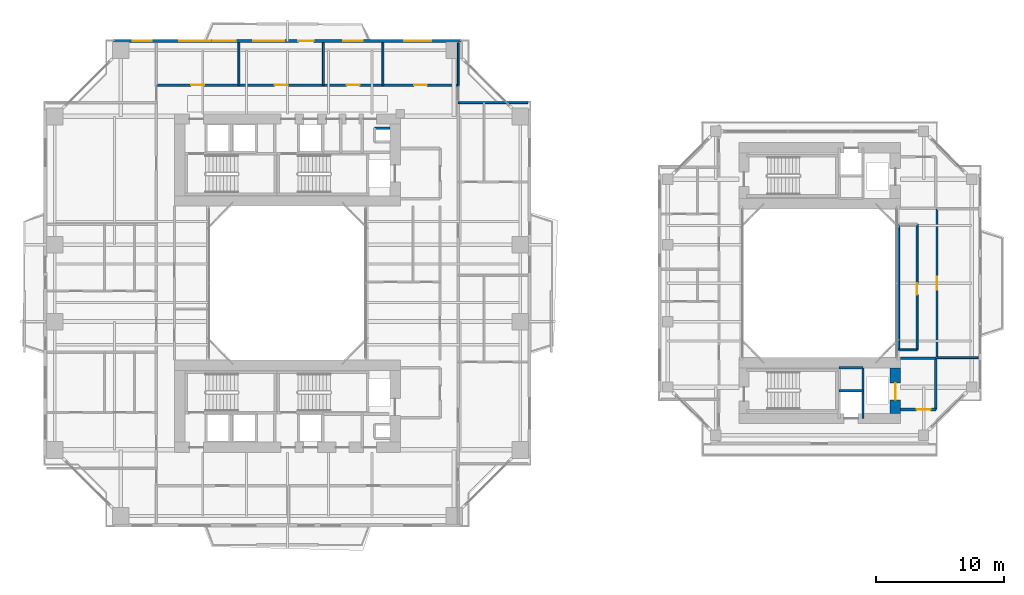
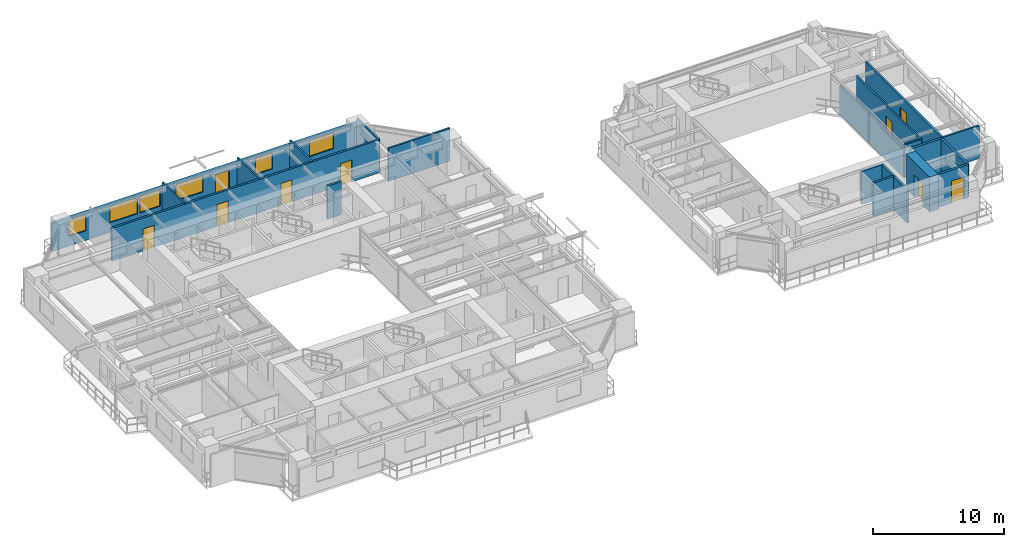
# One storey, part 17 of 24: 20 walls, 9 doors, 6 windows, 15 openings.
"""IFC4 building model written with IfcOpenShell, lengths in metres."""

from ifc_helpers import new_model, si_unit, direction, frame, frame_2d, origin, place, context, subcontext, project, spatial, rectangle, extrude, source, transform, mapped, material, layer, layer_set, type_object, element, fill, save


model = new_model("IFC4")

# Units and contexts
model_context = context("Model", 3, precision=1e-05, world=origin(), true_north=direction((0.0, 1.0)))
body_context = subcontext(model_context, "Body", "Model", "MODEL_VIEW")
ifc_project = project(units=[si_unit("LENGTHUNIT", "METRE"), si_unit("AREAUNIT", "SQUARE_METRE"), si_unit("VOLUMEUNIT", "CUBIC_METRE"), si_unit("PLANEANGLEUNIT", "RADIAN"), si_unit("MASSUNIT", "GRAM", prefix="KILO"), si_unit("THERMODYNAMICTEMPERATUREUNIT", "KELVIN"), si_unit("POWERUNIT", "WATT")], contexts=[model_context])

# Site, building, storey
site_placement = place(None, origin())
site = spatial("IfcSite", under=ifc_project, at=site_placement, CompositionType="ELEMENT")
building_placement = place(site_placement, origin())
building = spatial("IfcBuilding", under=site, at=building_placement, Name="Qiaomeng Ring Towers", CompositionType="ELEMENT")
storey_placement = place(building_placement, frame((0.0, 0.0, 69.75)))
storey = spatial("IfcBuildingStorey", under=building, at=storey_placement, Name="L19", CompositionType="ELEMENT", Elevation=69.75)

# Wall, openings, windows, door
ifc_material_1 = material(Name="Precast concrete C40", Category="concrete")
ifc_layer_1 = layer(ifc_material_1, 0.25, Name="Precast concrete C40")
ifc_layer_set_1 = layer_set([ifc_layer_1], Name="Precast concrete C40")
wall_type_1 = type_object("IfcWallType", Name="ARC-WL-EW1", PredefinedType="STANDARD", material=ifc_layer_set_1)
wall_1_placement = place(storey_placement, frame((5.449951171875, 41.875, 0.0), z_axis=(0.0, 0.0, 1.0), x_axis=(1.0, 0.0, 0.0)))
wall_1 = element("IfcWall", 1, at=wall_1_placement, inside=storey, type_object=wall_type_1, Name="L19 Tower 1 N Exterior Wall", PredefinedType="STANDARD", context=body_context, shape_type="SweptSolid", body=[
    extrude(rectangle(XDim=27.10009765625, YDim=0.25, at=frame_2d((13.550048828125, 0.0))), origin(), (0.0, 0.0, 1.0), 2.610107421875),
])
opening_1_placement = place(wall_1_placement, frame((14.39990234375, 0.0, 0.0)))
opening_1 = element("IfcOpeningElement", 2, at=opening_1_placement, cuts=wall_1, Name="Opening BD1", PredefinedType="OPENING", context=body_context, shape_type="SweptSolid", body=[
    extrude(rectangle(XDim=1.199951171875, YDim=2.10009765625, at=frame_2d((0.60009765625, 1.050048828125))), frame((0.0, 0.135009765625, 0.0), z_axis=(0.0, -1.0, 0.0), x_axis=(1.0, 0.0, 0.0)), (0.0, 0.0, 1.0), 0.27001953125),
])
opening_2_placement = place(wall_1_placement, frame((1.47998046875, 0.0, 0.89990234375)))
opening_2 = element("IfcOpeningElement", 3, at=opening_2_placement, cuts=wall_1, Name="Opening WN2", PredefinedType="OPENING", context=body_context, shape_type="SweptSolid", body=[
    extrude(rectangle(XDim=1.5, YDim=1.5, at=frame_2d((0.75, 0.75))), frame((0.0, 0.135009765625, 0.0), z_axis=(0.0, -1.0, 0.0), x_axis=(1.0, 0.0, 0.0)), (0.0, 0.0, 1.0), 0.27001953125),
])
opening_3_placement = place(wall_1_placement, frame((7.724609375, 0.0, 0.89990234375)))
opening_3 = element("IfcOpeningElement", 4, at=opening_3_placement, cuts=wall_1, Name="Opening WN1", PredefinedType="OPENING", context=body_context, shape_type="SweptSolid", body=[
    extrude(rectangle(XDim=1.800048828125, YDim=1.5, at=frame_2d((0.89990234375, 0.75))), frame((0.0, 0.135009765625, 0.0), z_axis=(0.0, -1.0, 0.0), x_axis=(1.0, 0.0, 0.0)), (0.0, 0.0, 1.0), 0.27001953125),
])
opening_4_placement = place(wall_1_placement, frame((17.919921875, 0.0, 0.89990234375)))
opening_4 = element("IfcOpeningElement", 5, at=opening_4_placement, cuts=wall_1, Name="Opening WN2", PredefinedType="OPENING", context=body_context, shape_type="SweptSolid", body=[
    extrude(rectangle(XDim=1.5, YDim=1.5, at=frame_2d((0.75, 0.75))), frame((0.0, 0.135009765625, 0.0), z_axis=(0.0, -1.0, 0.0), x_axis=(1.0, 0.0, 0.0)), (0.0, 0.0, 1.0), 0.27001953125),
])
opening_5_placement = place(wall_1_placement, frame((22.6630859375, 0.0, 0.89990234375)))
opening_5 = element("IfcOpeningElement", 6, at=opening_5_placement, cuts=wall_1, Name="Opening WN4", PredefinedType="OPENING", context=body_context, shape_type="SweptSolid", body=[
    extrude(rectangle(XDim=2.10009765625, YDim=1.47998046875, at=frame_2d((1.050048828125, 0.739990234375))), frame((0.0, 0.135009765625, 0.0), z_axis=(0.0, -1.0, 0.0), x_axis=(1.0, 0.0, 0.0)), (0.0, 0.0, 1.0), 0.27001953125),
])
opening_6_placement = place(wall_1_placement, frame((5.114013671875, 0.0, 0.89990234375)))
opening_6 = element("IfcOpeningElement", 7, at=opening_6_placement, cuts=wall_1, Name="Opening WN6", PredefinedType="OPENING", context=body_context, shape_type="SweptSolid", body=[
    extrude(rectangle(XDim=2.39990234375, YDim=1.5, at=frame_2d((1.199951171875, 0.75))), frame((0.0, 0.135009765625, 0.0), z_axis=(0.0, -1.0, 0.0), x_axis=(1.0, 0.0, 0.0)), (0.0, 0.0, 1.0), 0.27001953125),
])
opening_7_placement = place(wall_1_placement, frame((10.892578125, 0.0, 0.89990234375)))
opening_7 = element("IfcOpeningElement", 8, at=opening_7_placement, cuts=wall_1, Name="Opening WN6", PredefinedType="OPENING", context=body_context, shape_type="SweptSolid", body=[
    extrude(rectangle(XDim=2.39990234375, YDim=1.5, at=frame_2d((1.199951171875, 0.75))), frame((0.0, 0.135009765625, 0.0), z_axis=(0.0, -1.0, 0.0), x_axis=(1.0, 0.0, 0.0)), (0.0, 0.0, 1.0), 0.27001953125),
])
ifc_material_2 = material(Name="Low-E dark-grey laminated double glazing", Category="glass")
window_type_1 = type_object("IfcWindowType", Name="ARC-WN-4", PartitioningType="TRIPLE_PANEL_VERTICAL", PredefinedType="WINDOW", material=ifc_material_2)
shared_shape_1 = source(origin(), body_context, "Body", "SweptSolid", [
    extrude(rectangle(XDim=2.10009765625, YDim=1.47998046875, at=frame_2d((1.050048828125, 0.739990234375))), frame((0.0, 0.030029296875, 0.0), z_axis=(0.0, -1.0, 0.0), x_axis=(1.0, 0.0, 0.0)), (0.0, 0.0, 1.0), 0.06005859375),
])
window_1_placement = place(opening_5_placement, origin())
window_1 = element("IfcWindow", 9, at=window_1_placement, inside=storey, type_object=window_type_1, Name="L19 Exterior Window WN4", OverallHeight=1.47998046875, OverallWidth=2.10009765625, PartitioningType="TRIPLE_PANEL_VERTICAL", PredefinedType="WINDOW", context=body_context, shape_type="MappedRepresentation", body=[
    mapped(shared_shape_1, transform((0.0, 0.0, 0.0), x_axis=(1.0, 0.0, 0.0), y_axis=(0.0, 1.0, 0.0), z_axis=(0.0, 0.0, 1.0), scale=1.0)),
])
fill(opening_5, window_1)
door_type_1 = type_object("IfcDoorType", Name="ARC-DR-BD1", OperationType="NOTDEFINED", PredefinedType="DOOR", material=ifc_material_2)
shared_shape_2 = source(origin(), body_context, "Body", "SweptSolid", [
    extrude(rectangle(XDim=1.199951171875, YDim=2.10009765625, at=frame_2d((0.60009765625, 1.050048828125))), frame((0.0, 0.02490234375, 0.0), z_axis=(0.0, -1.0, 0.0), x_axis=(1.0, 0.0, 0.0)), (0.0, 0.0, 1.0), 0.050048828125),
])
door_1_placement = place(opening_1_placement, origin())
door_1 = element("IfcDoor", 10, at=door_1_placement, inside=storey, type_object=door_type_1, Name="L19 N Balcony Glazed Door", OperationType="SINGLE_SWING_LEFT", OverallHeight=2.10009765625, OverallWidth=1.199951171875, PredefinedType="DOOR", context=body_context, shape_type="MappedRepresentation", body=[
    mapped(shared_shape_2, transform((0.0, 0.0, 0.0), x_axis=(1.0, 0.0, 0.0), y_axis=(0.0, 1.0, 0.0), z_axis=(0.0, 0.0, 1.0), scale=1.0)),
])
fill(opening_1, door_1)
window_type_2 = type_object("IfcWindowType", Name="ARC-WN-2", PartitioningType="DOUBLE_PANEL_VERTICAL", PredefinedType="WINDOW", material=ifc_material_2)
shared_shape_3 = source(origin(), body_context, "Body", "SweptSolid", [
    extrude(rectangle(XDim=1.5, YDim=1.5, at=frame_2d((0.75, 0.75))), frame((0.0, 0.030029296875, 0.0), z_axis=(0.0, -1.0, 0.0), x_axis=(1.0, 0.0, 0.0)), (0.0, 0.0, 1.0), 0.06005859375),
])
window_2_placement = place(opening_2_placement, origin())
window_2 = element("IfcWindow", 11, at=window_2_placement, inside=storey, type_object=window_type_2, Name="L19 Exterior Window WN6", OverallHeight=1.5, OverallWidth=1.5, PartitioningType="TRIPLE_PANEL_VERTICAL", PredefinedType="WINDOW", context=body_context, shape_type="MappedRepresentation", body=[
    mapped(shared_shape_3, transform((0.0, 0.0, 0.0), x_axis=(1.0, 0.0, 0.0), y_axis=(0.0, 1.0, 0.0), z_axis=(0.0, 0.0, 1.0), scale=1.0)),
])
fill(opening_2, window_2)
window_3_placement = place(opening_4_placement, origin())
window_3 = element("IfcWindow", 12, at=window_3_placement, inside=storey, type_object=window_type_2, Name="L19 Exterior Window WN2", OverallHeight=1.5, OverallWidth=1.5, PartitioningType="DOUBLE_PANEL_VERTICAL", PredefinedType="WINDOW", context=body_context, shape_type="MappedRepresentation", body=[
    mapped(shared_shape_3, transform((0.0, 0.0, 0.0), x_axis=(1.0, 0.0, 0.0), y_axis=(0.0, 1.0, 0.0), z_axis=(0.0, 0.0, 1.0), scale=1.0)),
])
fill(opening_4, window_3)
window_type_3 = type_object("IfcWindowType", Name="ARC-WN-6", PartitioningType="TRIPLE_PANEL_VERTICAL", PredefinedType="WINDOW", material=ifc_material_2)
shared_shape_4 = source(origin(), body_context, "Body", "SweptSolid", [
    extrude(rectangle(XDim=2.39990234375, YDim=1.5, at=frame_2d((1.199951171875, 0.75))), frame((0.0, 0.030029296875, 0.0), z_axis=(0.0, -1.0, 0.0), x_axis=(1.0, 0.0, 0.0)), (0.0, 0.0, 1.0), 0.06005859375),
])
window_4_placement = place(opening_6_placement, origin())
window_4 = element("IfcWindow", 13, at=window_4_placement, inside=storey, type_object=window_type_3, Name="L19 Exterior Window WN6", OverallHeight=1.5, OverallWidth=2.39990234375, PartitioningType="TRIPLE_PANEL_VERTICAL", PredefinedType="WINDOW", context=body_context, shape_type="MappedRepresentation", body=[
    mapped(shared_shape_4, transform((0.0, 0.0, 0.0), x_axis=(1.0, 0.0, 0.0), y_axis=(0.0, 1.0, 0.0), z_axis=(0.0, 0.0, 1.0), scale=1.0)),
])
fill(opening_6, window_4)
window_5_placement = place(opening_7_placement, origin())
window_5 = element("IfcWindow", 14, at=window_5_placement, inside=storey, type_object=window_type_3, Name="L19 Exterior Window WN6", OverallHeight=1.5, OverallWidth=2.39990234375, PartitioningType="TRIPLE_PANEL_VERTICAL", PredefinedType="WINDOW", context=body_context, shape_type="MappedRepresentation", body=[
    mapped(shared_shape_4, transform((0.0, 0.0, 0.0), x_axis=(1.0, 0.0, 0.0), y_axis=(0.0, 1.0, 0.0), z_axis=(0.0, 0.0, 1.0), scale=1.0)),
])
fill(opening_7, window_5)
window_type_4 = type_object("IfcWindowType", Name="ARC-WN-1", PartitioningType="DOUBLE_PANEL_VERTICAL", PredefinedType="WINDOW", material=ifc_material_2)
shared_shape_5 = source(origin(), body_context, "Body", "SweptSolid", [
    extrude(rectangle(XDim=1.800048828125, YDim=1.5, at=frame_2d((0.89990234375, 0.75))), frame((0.0, 0.030029296875, 0.0), z_axis=(0.0, -1.0, 0.0), x_axis=(1.0, 0.0, 0.0)), (0.0, 0.0, 1.0), 0.06005859375),
])
window_6_placement = place(opening_3_placement, origin())
window_6 = element("IfcWindow", 15, at=window_6_placement, inside=storey, type_object=window_type_4, Name="L19 Exterior Window WN1", OverallHeight=1.5, OverallWidth=1.800048828125, PartitioningType="DOUBLE_PANEL_VERTICAL", PredefinedType="WINDOW", context=body_context, shape_type="MappedRepresentation", body=[
    mapped(shared_shape_5, transform((0.0, 0.0, 0.0), x_axis=(1.0, 0.0, 0.0), y_axis=(0.0, 1.0, 0.0), z_axis=(0.0, 0.0, 1.0), scale=1.0)),
])
fill(opening_3, window_6)

# Walls
ifc_material_3 = material(Name="Autoclaved aerated concrete block", Category="concrete")
ifc_layer_2 = layer(ifc_material_3, 0.199951171875, Name="Autoclaved aerated concrete block")
ifc_layer_set_2 = layer_set([ifc_layer_2], Name="Autoclaved aerated concrete block")
wall_type_2 = type_object("IfcWallType", Name="ARC-WL-PW1", PredefinedType="PARTITIONING", material=ifc_layer_set_2)
wall_2_placement = place(storey_placement, frame((66.800048828125, 17.14990234375, 0.0), z_axis=(0.0, 0.0, 1.0), x_axis=(1.0, 0.0, 0.0)))
element("IfcWall", 16, at=wall_2_placement, inside=storey, type_object=wall_type_2, Name="L19 Interior Wall PW1", PredefinedType="PARTITIONING", context=body_context, shape_type="SweptSolid", body=[
    extrude(rectangle(XDim=2.75, YDim=0.199951171875, at=frame_2d((1.375, 0.0))), origin(), (0.0, 0.0, 1.0), 3.070068359375),
])
wall_3_placement = place(storey_placement, frame((69.550048828125, 13.14990234375, 0.0), z_axis=(0.0, 0.0, 1.0), x_axis=(0.0, 1.0, 0.0)))
element("IfcWall", 17, at=wall_3_placement, inside=storey, type_object=wall_type_2, Name="L19 Interior Wall PW1", PredefinedType="PARTITIONING", context=body_context, shape_type="SweptSolid", body=[
    extrude(rectangle(XDim=4.0, YDim=0.199951171875, at=frame_2d((2.0, 0.0))), origin(), (0.0, 0.0, 1.0), 3.070068359375),
])

# Wall, opening, door
wall_4_placement = place(storey_placement, frame((66.800048828125, 13.14990234375, 0.0), z_axis=(0.0, 0.0, 1.0), x_axis=(1.0, 0.0, 0.0)))
wall_4 = element("IfcWall", 18, at=wall_4_placement, inside=storey, type_object=wall_type_2, Name="L19 Interior Wall PW1", PredefinedType="PARTITIONING", context=body_context, shape_type="SweptSolid", body=[
    extrude(rectangle(XDim=2.75, YDim=0.199951171875, at=frame_2d((1.375, 0.0))), origin(), (0.0, 0.0, 1.0), 3.070068359375),
])
opening_8_placement = place(wall_4_placement, frame((1.25, 0.0, 0.0)))
opening_8 = element("IfcOpeningElement", 19, at=opening_8_placement, cuts=wall_4, Name="Opening FD3", PredefinedType="OPENING", context=body_context, shape_type="SweptSolid", body=[
    extrude(rectangle(XDim=1.10009765625, YDim=2.050048828125, at=frame_2d((0.550048828125, 1.02490234375))), frame((0.0, 0.10986328125, 0.0), z_axis=(0.0, -1.0, 0.0), x_axis=(1.0, 0.0, 0.0)), (0.0, 0.0, 1.0), 0.219970703125),
])
ifc_material_4 = material(Name="Galvanised steel", Category="steel")
door_type_2 = type_object("IfcDoorType", Name="ARC-DR-FD3", OperationType="NOTDEFINED", PredefinedType="DOOR", material=ifc_material_4)
shared_shape_6 = source(origin(), body_context, "Body", "SweptSolid", [
    extrude(rectangle(XDim=1.10009765625, YDim=2.050048828125, at=frame_2d((0.550048828125, 1.02490234375))), frame((0.0, 0.02490234375, 0.0), z_axis=(0.0, -1.0, 0.0), x_axis=(1.0, 0.0, 0.0)), (0.0, 0.0, 1.0), 0.050048828125),
])
door_2_placement = place(opening_8_placement, origin())
door_2 = element("IfcDoor", 20, at=door_2_placement, inside=storey, type_object=door_type_2, Name="L19 Door FD3", OperationType="SINGLE_SWING_LEFT", OverallHeight=2.050048828125, OverallWidth=1.10009765625, PredefinedType="DOOR", context=body_context, shape_type="MappedRepresentation", body=[
    mapped(shared_shape_6, transform((0.0, 0.0, 0.0), x_axis=(1.0, 0.0, 0.0), y_axis=(0.0, 1.0, 0.0), z_axis=(0.0, 0.0, 1.0), scale=1.0)),
])
fill(opening_8, door_2)

# Wall, openings, doors
ifc_layer_3 = layer(ifc_material_3, 0.179931640625, Name="Autoclaved aerated concrete block")
ifc_layer_set_3 = layer_set([ifc_layer_3], Name="Autoclaved aerated concrete block")
wall_type_3 = type_object("IfcWallType", Name="ARC-WL-PW2", PredefinedType="PARTITIONING", material=ifc_layer_set_3)
wall_5_placement = place(storey_placement, frame((8.780029296875, 38.43994140625, 0.0), z_axis=(0.0, 0.0, 1.0), x_axis=(1.0, 0.0, 0.0)))
wall_5 = element("IfcWall", 21, at=wall_5_placement, inside=storey, type_object=wall_type_3, Name="L19 Interior Wall PW2", PredefinedType="PARTITIONING", context=body_context, shape_type="SweptSolid", body=[
    extrude(rectangle(XDim=23.5400390625, YDim=0.179931640625, at=frame_2d((11.77001953125, 0.0))), origin(), (0.0, 0.0, 1.0), 3.070068359375),
])
opening_9_placement = place(wall_5_placement, frame((2.719970703125, 0.0, 0.0)))
opening_9 = element("IfcOpeningElement", 22, at=opening_9_placement, cuts=wall_5, Name="Opening FD4", PredefinedType="OPENING", context=body_context, shape_type="SweptSolid", body=[
    extrude(rectangle(XDim=1.0, YDim=2.050048828125, at=frame_2d((0.5, 1.02490234375))), frame((0.0, 0.099853515625, 0.0), z_axis=(0.0, -1.0, 0.0), x_axis=(1.0, 0.0, 0.0)), (0.0, 0.0, 1.0), 0.199951171875),
])
opening_10_placement = place(wall_5_placement, frame((9.22998046875, 0.0, 0.0)))
opening_10 = element("IfcOpeningElement", 23, at=opening_10_placement, cuts=wall_5, Name="Opening FD4", PredefinedType="OPENING", context=body_context, shape_type="SweptSolid", body=[
    extrude(rectangle(XDim=1.0, YDim=2.050048828125, at=frame_2d((0.5, 1.02490234375))), frame((0.0, 0.099853515625, 0.0), z_axis=(0.0, -1.0, 0.0), x_axis=(1.0, 0.0, 0.0)), (0.0, 0.0, 1.0), 0.199951171875),
])
opening_11_placement = place(wall_5_placement, frame((14.840087890625, 0.0, 0.0)))
opening_11 = element("IfcOpeningElement", 24, at=opening_11_placement, cuts=wall_5, Name="Opening FD4", PredefinedType="OPENING", context=body_context, shape_type="SweptSolid", body=[
    extrude(rectangle(XDim=1.0, YDim=2.050048828125, at=frame_2d((0.5, 1.02490234375))), frame((0.0, 0.099853515625, 0.0), z_axis=(0.0, -1.0, 0.0), x_axis=(1.0, 0.0, 0.0)), (0.0, 0.0, 1.0), 0.199951171875),
])
opening_12_placement = place(wall_5_placement, frame((20.10009765625, 0.0, 0.0)))
opening_12 = element("IfcOpeningElement", 25, at=opening_12_placement, cuts=wall_5, Name="Opening FD4", PredefinedType="OPENING", context=body_context, shape_type="SweptSolid", body=[
    extrude(rectangle(XDim=1.0, YDim=2.050048828125, at=frame_2d((0.5, 1.02490234375))), frame((0.0, 0.099853515625, 0.0), z_axis=(0.0, -1.0, 0.0), x_axis=(1.0, 0.0, 0.0)), (0.0, 0.0, 1.0), 0.199951171875),
])
ifc_material_5 = material(Name="Engineered fire-rated oak timber", Category="wood")
door_type_3 = type_object("IfcDoorType", Name="ARC-DR-FD4", OperationType="NOTDEFINED", PredefinedType="DOOR", material=ifc_material_5)
shared_shape_7 = source(origin(), body_context, "Body", "SweptSolid", [
    extrude(rectangle(XDim=1.0, YDim=2.050048828125, at=frame_2d((0.5, 1.02490234375))), frame((0.0, 0.02490234375, 0.0), z_axis=(0.0, -1.0, 0.0), x_axis=(1.0, 0.0, 0.0)), (0.0, 0.0, 1.0), 0.050048828125),
])
door_3_placement = place(opening_9_placement, origin())
door_3 = element("IfcDoor", 26, at=door_3_placement, inside=storey, type_object=door_type_3, Name="L19 Door FD4", OperationType="SINGLE_SWING_LEFT", OverallHeight=2.050048828125, OverallWidth=1.0, PredefinedType="DOOR", context=body_context, shape_type="MappedRepresentation", body=[
    mapped(shared_shape_7, transform((0.0, 0.0, 0.0), x_axis=(1.0, 0.0, 0.0), y_axis=(0.0, 1.0, 0.0), z_axis=(0.0, 0.0, 1.0), scale=1.0)),
])
fill(opening_9, door_3)
door_4_placement = place(opening_10_placement, origin())
door_4 = element("IfcDoor", 27, at=door_4_placement, inside=storey, type_object=door_type_3, Name="L19 Door FD4", OperationType="SINGLE_SWING_RIGHT", OverallHeight=2.050048828125, OverallWidth=1.0, PredefinedType="DOOR", context=body_context, shape_type="MappedRepresentation", body=[
    mapped(shared_shape_7, transform((0.0, 0.0, 0.0), x_axis=(1.0, 0.0, 0.0), y_axis=(0.0, 1.0, 0.0), z_axis=(0.0, 0.0, 1.0), scale=1.0)),
])
fill(opening_10, door_4)
door_5_placement = place(opening_11_placement, origin())
door_5 = element("IfcDoor", 28, at=door_5_placement, inside=storey, type_object=door_type_3, Name="L19 Door FD4", OperationType="SINGLE_SWING_LEFT", OverallHeight=2.050048828125, OverallWidth=1.0, PredefinedType="DOOR", context=body_context, shape_type="MappedRepresentation", body=[
    mapped(shared_shape_7, transform((0.0, 0.0, 0.0), x_axis=(1.0, 0.0, 0.0), y_axis=(0.0, 1.0, 0.0), z_axis=(0.0, 0.0, 1.0), scale=1.0)),
])
fill(opening_11, door_5)
door_6_placement = place(opening_12_placement, origin())
door_6 = element("IfcDoor", 29, at=door_6_placement, inside=storey, type_object=door_type_3, Name="L19 Door FD4", OperationType="SINGLE_SWING_RIGHT", OverallHeight=2.050048828125, OverallWidth=1.0, PredefinedType="DOOR", context=body_context, shape_type="MappedRepresentation", body=[
    mapped(shared_shape_7, transform((0.0, 0.0, 0.0), x_axis=(1.0, 0.0, 0.0), y_axis=(0.0, 1.0, 0.0), z_axis=(0.0, 0.0, 1.0), scale=1.0)),
])
fill(opening_12, door_6)

# Wall, opening, door
wall_6_placement = place(storey_placement, frame((69.64990234375, 17.199951171875, 0.0), z_axis=(0.0, 0.0, 1.0), x_axis=(0.0, 1.0, 0.0)))
wall_6 = element("IfcWall", 30, at=wall_6_placement, inside=storey, type_object=wall_type_3, Name="L19 Interior Wall PW2", PredefinedType="PARTITIONING", context=body_context, shape_type="SweptSolid", body=[
    extrude(rectangle(XDim=11.60009765625, YDim=0.179931640625, at=frame_2d((5.800048828125, 0.0))), origin(), (0.0, 0.0, 1.0), 3.070068359375),
])
opening_13_placement = place(wall_6_placement, frame((5.300048828125, 0.0, 0.0)))
opening_13 = element("IfcOpeningElement", 31, at=opening_13_placement, cuts=wall_6, Name="Opening FD4", PredefinedType="OPENING", context=body_context, shape_type="SweptSolid", body=[
    extrude(rectangle(XDim=1.0, YDim=2.050048828125, at=frame_2d((0.5, 1.02490234375))), frame((0.0, 0.099853515625, 0.0), z_axis=(0.0, -1.0, 0.0), x_axis=(1.0, 0.0, 0.0)), (0.0, 0.0, 1.0), 0.199951171875),
])
door_7_placement = place(opening_13_placement, origin())
door_7 = element("IfcDoor", 32, at=door_7_placement, inside=storey, type_object=door_type_3, Name="L19 Door FD4", OperationType="SINGLE_SWING_LEFT", OverallHeight=2.050048828125, OverallWidth=1.0, PredefinedType="DOOR", context=body_context, shape_type="MappedRepresentation", body=[
    mapped(shared_shape_7, transform((0.0, 0.0, 0.0), x_axis=(1.0, 0.0, 0.0), y_axis=(0.0, 1.0, 0.0), z_axis=(0.0, 0.0, 1.0), scale=1.0)),
])
fill(opening_13, door_7)

# Walls
ifc_material_6 = material(Name="Gypsum fireboard steel-stud partition", Category="steel")
ifc_layer_4 = layer(ifc_material_6, 0.14990234375, Name="Gypsum fireboard steel-stud partition")
ifc_layer_set_4 = layer_set([ifc_layer_4], Name="Gypsum fireboard steel-stud partition")
wall_type_4 = type_object("IfcWallType", Name="ARC-WL-PW3", PredefinedType="PARTITIONING", material=ifc_layer_set_4)
for number, where, z_axis, x_axis, name in (
    (33, (15.219970703125, 38.43994140625, 0.0), (0.0, 0.0, 1.0), (0.0, 1.0, 0.0), "L19 Interior Wall PW3"),
    (34, (21.800048828125, 38.43994140625, 0.0), (0.0, 0.0, 1.0), (0.0, 1.0, 0.0), "L19 Interior Wall PW3"),
    (35, (26.43994140625, 38.43994140625, 0.0), (0.0, 0.0, 1.0), (0.0, 1.0, 0.0), "L19 Interior Wall PW3"),
    (36, (32.320068359375, 38.43994140625, 0.0), (0.0, 0.0, 1.0), (0.0, 1.0, 0.0), "L19 Interior Wall PW3"),
):
    element("IfcWall", number, at=place(storey_placement, frame(where, z_axis=z_axis, x_axis=x_axis)), inside=storey, type_object=wall_type_4, Name=name, PredefinedType="PARTITIONING", context=body_context, shape_type="SweptSolid", body=[
        extrude(rectangle(XDim=3.31005859375, YDim=0.14990234375, at=frame_2d((1.655029296875, 0.0))), origin(), (0.0, 0.0, 1.0), 3.070068359375),
    ])
wall_7_placement = place(storey_placement, frame((32.320068359375, 37.080078125, 0.0), z_axis=(0.0, 0.0, 1.0), x_axis=(1.0, 0.0, 0.0)))
element("IfcWall", 37, at=wall_7_placement, inside=storey, type_object=wall_type_4, Name="L19 Interior Wall PW3", PredefinedType="PARTITIONING", context=body_context, shape_type="SweptSolid", body=[
    extrude(rectangle(XDim=5.429931640625, YDim=0.14990234375, at=frame_2d((2.71484375, 0.0))), origin(), (0.0, 0.0, 1.0), 3.070068359375),
])
wall_8_placement = place(storey_placement, frame((69.64990234375, 17.199951171875, 0.0), z_axis=(0.0, 0.0, 1.0), x_axis=(1.0, 0.0, 0.0)))
element("IfcWall", 38, at=wall_8_placement, inside=storey, type_object=wall_type_4, Name="L19 Interior Wall PW3", PredefinedType="PARTITIONING", context=body_context, shape_type="SweptSolid", body=[
    extrude(rectangle(XDim=3.2001953125, YDim=0.14990234375, at=frame_2d((1.60009765625, 0.0))), origin(), (0.0, 0.0, 1.0), 3.070068359375),
])

# Wall, opening, door
wall_9_placement = place(storey_placement, frame((68.10009765625, 17.800048828125, 0.0), z_axis=(0.0, 0.0, 1.0), x_axis=(0.0, 1.0, 0.0)))
wall_9 = element("IfcWall", 39, at=wall_9_placement, inside=storey, type_object=wall_type_4, Name="L19 Interior Wall PW3", PredefinedType="PARTITIONING", context=body_context, shape_type="SweptSolid", body=[
    extrude(rectangle(XDim=9.800048828125, YDim=0.14990234375, at=frame_2d((4.89990234375, 0.0))), origin(), (0.0, 0.0, 1.0), 3.070068359375),
])
opening_14_placement = place(wall_9_placement, frame((4.300048828125, 0.0, 0.0)))
opening_14 = element("IfcOpeningElement", 40, at=opening_14_placement, cuts=wall_9, Name="Opening ID1", PredefinedType="OPENING", context=body_context, shape_type="SweptSolid", body=[
    extrude(rectangle(XDim=0.89990234375, YDim=2.050048828125, at=frame_2d((0.449951171875, 1.02490234375))), frame((0.0, 0.0849609375, 0.0), z_axis=(0.0, -1.0, 0.0), x_axis=(1.0, 0.0, 0.0)), (0.0, 0.0, 1.0), 0.169921875),
])
ifc_material_7 = material(Name="Engineered oak timber", Category="wood")
door_type_4 = type_object("IfcDoorType", Name="ARC-DR-ID1", OperationType="NOTDEFINED", PredefinedType="DOOR", material=ifc_material_7)
shared_shape_8 = source(origin(), body_context, "Body", "SweptSolid", [
    extrude(rectangle(XDim=0.89990234375, YDim=2.050048828125, at=frame_2d((0.449951171875, 1.02490234375))), frame((0.0, 0.02490234375, 0.0), z_axis=(0.0, -1.0, 0.0), x_axis=(1.0, 0.0, 0.0)), (0.0, 0.0, 1.0), 0.050048828125),
])
door_8_placement = place(opening_14_placement, origin())
door_8 = element("IfcDoor", 41, at=door_8_placement, inside=storey, type_object=door_type_4, Name="L19 Door ID1", OperationType="SINGLE_SWING_RIGHT", OverallHeight=2.050048828125, OverallWidth=0.89990234375, PredefinedType="DOOR", context=body_context, shape_type="MappedRepresentation", body=[
    mapped(shared_shape_8, transform((0.0, 0.0, 0.0), x_axis=(1.0, 0.0, 0.0), y_axis=(0.0, 1.0, 0.0), z_axis=(0.0, 0.0, 1.0), scale=1.0)),
])
fill(opening_14, door_8)

# Walls
wall_10_placement = place(storey_placement, frame((66.64990234375, 17.800048828125, 0.0), z_axis=(0.0, 0.0, 1.0), x_axis=(1.0, 0.0, 0.0)))
element("IfcWall", 42, at=wall_10_placement, inside=storey, type_object=wall_type_4, Name="L19 Interior Wall PW3", PredefinedType="PARTITIONING", context=body_context, shape_type="SweptSolid", body=[
    extrude(rectangle(XDim=1.4501953125, YDim=0.14990234375, at=frame_2d((0.72509765625, 0.0))), origin(), (0.0, 0.0, 1.0), 3.070068359375),
])
wall_11_placement = place(storey_placement, frame((66.64990234375, 17.800048828125, 0.0), z_axis=(0.0, 0.0, 1.0), x_axis=(0.0, 1.0, 0.0)))
element("IfcWall", 43, at=wall_11_placement, inside=storey, type_object=wall_type_4, Name="L19 Interior Wall PW3", PredefinedType="PARTITIONING", context=body_context, shape_type="SweptSolid", body=[
    extrude(rectangle(XDim=9.800048828125, YDim=0.14990234375, at=frame_2d((4.89990234375, 0.0))), origin(), (0.0, 0.0, 1.0), 2.6650390625),
])
ifc_material_8 = material(Name="Concrete C40", Category="concrete")
ifc_layer_5 = layer(ifc_material_8, 0.199951171875, Name="Concrete C40")
ifc_layer_set_5 = layer_set([ifc_layer_5], Name="Concrete C40")
wall_type_5 = type_object("IfcWallType", Name="STR-WL-STSHAFT", PredefinedType="SHEAR", material=ifc_layer_set_5)
wall_12_placement = place(storey_placement, frame((25.800048828125, 35.080078125, 0.0), z_axis=(0.0, 0.0, 1.0), x_axis=(1.0, 0.0, 0.0)))
element("IfcWall", 44, at=wall_12_placement, inside=storey, type_object=wall_type_5, Name="L19 Riser RSR1 North Shaft Wall N", PredefinedType="SHEAR", context=body_context, shape_type="SweptSolid", body=[
    extrude(rectangle(XDim=1.199951171875, YDim=0.179931640625, at=frame_2d((0.60009765625, 0.0))), origin(), (0.0, 0.0, 1.0), 3.070068359375),
])
wall_13_placement = place(storey_placement, frame((63.8798828125, 12.449951171875, 0.0), z_axis=(0.0, 0.0, 1.0), x_axis=(0.0, 1.0, 0.0)))
element("IfcWall", 45, at=wall_13_placement, inside=storey, type_object=wall_type_5, Name="L19 Companion Lift Shaft East Wall S", PredefinedType="SHEAR", context=body_context, shape_type="SweptSolid", body=[
    extrude(rectangle(XDim=3.949951171875, YDim=0.179931640625, at=frame_2d((1.97509765625, 0.0))), origin(), (0.0, 0.0, 1.0), 3.070068359375),
])
for number, where, z_axis, x_axis, name in (
    (46, (62.02001953125, 14.6201171875, 0.0), (0.0, 0.0, 1.0), (1.0, 0.0, 0.0), "L19 Companion Lift Shaft Divider Wall S"),
    (47, (62.02001953125, 16.39990234375, 0.0), (0.0, 0.0, 1.0), (1.0, 0.0, 0.0), "L19 Companion Riser Shaft Back Wall S"),
):
    element("IfcWall", number, at=place(storey_placement, frame(where, z_axis=z_axis, x_axis=x_axis)), inside=storey, type_object=wall_type_5, Name=name, PredefinedType="SHEAR", context=body_context, shape_type="SweptSolid", body=[
        extrude(rectangle(XDim=1.85986328125, YDim=0.179931640625, at=frame_2d((0.929931640625, 0.0))), origin(), (0.0, 0.0, 1.0), 3.070068359375),
    ])

# Wall, opening, door
ifc_material_9 = material(Name="Concrete C60", Category="concrete")
ifc_layer_6 = layer(ifc_material_9, 0.800048828125, Name="Concrete C60")
ifc_layer_set_6 = layer_set([ifc_layer_6], Name="Concrete C60")
wall_type_6 = type_object("IfcWallType", Name="STR-WL-SW1", PredefinedType="SHEAR", material=ifc_layer_set_6)
wall_14_placement = place(storey_placement, frame((66.39990234375, 12.85009765625, 0.0), z_axis=(0.0, 0.0, 1.0), x_axis=(0.0, 1.0, 0.0)))
wall_14 = element("IfcWall", 48, at=wall_14_placement, inside=storey, type_object=wall_type_6, Name="L19 T2SC east core shear wall", PredefinedType="SHEAR", context=body_context, shape_type="SweptSolid", body=[
    extrude(rectangle(XDim=3.5498046875, YDim=0.800048828125, at=frame_2d((1.77490234375, 0.0))), origin(), (0.0, 0.0, 1.0), 3.25),
])
opening_15_placement = place(wall_14_placement, frame((1.050048828125, 0.0, 0.0)))
opening_15 = element("IfcOpeningElement", 49, at=opening_15_placement, cuts=wall_14, Name="Opening LD2", PredefinedType="OPENING", context=body_context, shape_type="SweptSolid", body=[
    extrude(rectangle(XDim=1.300048828125, YDim=2.050048828125, at=frame_2d((0.64990234375, 1.02490234375))), frame((0.0, 0.409912109375, 0.0), z_axis=(0.0, -1.0, 0.0), x_axis=(1.0, 0.0, 0.0)), (0.0, 0.0, 1.0), 0.820068359375),
])
ifc_material_10 = material(Name="Stainless steel 316", Category="steel")
door_type_5 = type_object("IfcDoorType", Name="ARC-DR-LD2", OperationType="NOTDEFINED", PredefinedType="DOOR", material=ifc_material_10)
shared_shape_9 = source(origin(), body_context, "Body", "SweptSolid", [
    extrude(rectangle(XDim=1.300048828125, YDim=2.050048828125, at=frame_2d((0.64990234375, 1.02490234375))), frame((0.0, 0.02490234375, 0.0), z_axis=(0.0, -1.0, 0.0), x_axis=(1.0, 0.0, 0.0)), (0.0, 0.0, 1.0), 0.050048828125),
])
door_9_placement = place(opening_15_placement, origin())
door_9 = element("IfcDoor", 50, at=door_9_placement, inside=storey, type_object=door_type_5, Name="L19 Firefighting Lift FL4 Landing Door", OperationType="SLIDING_TO_RIGHT", OverallHeight=2.050048828125, OverallWidth=1.300048828125, PredefinedType="DOOR", context=body_context, shape_type="MappedRepresentation", body=[
    mapped(shared_shape_9, transform((0.0, 0.0, 0.0), x_axis=(1.0, 0.0, 0.0), y_axis=(0.0, 1.0, 0.0), z_axis=(0.0, 0.0, 1.0), scale=1.0)),
])
fill(opening_15, door_9)

save(model, "model.ifc")
